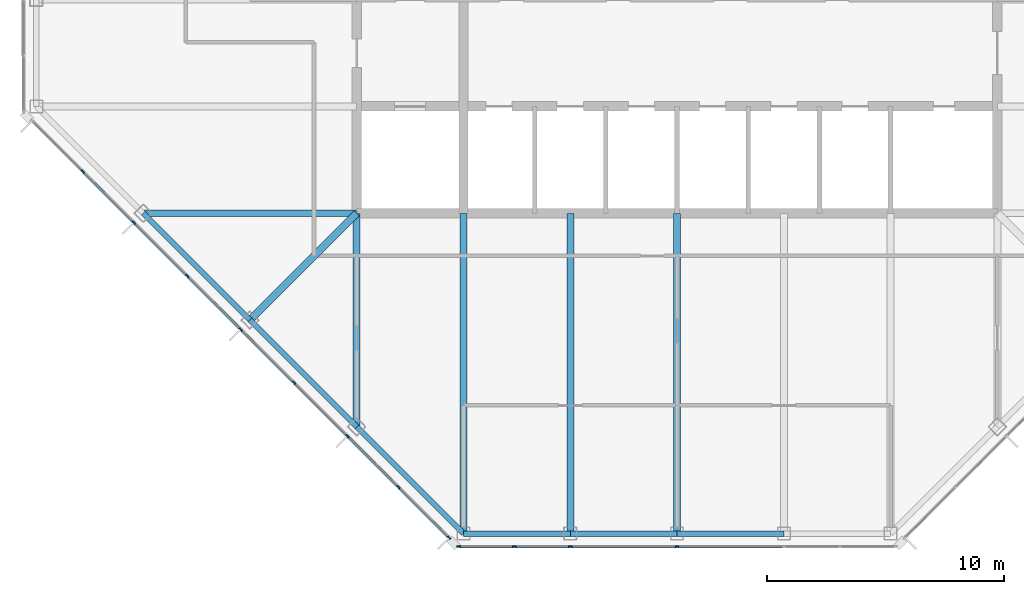
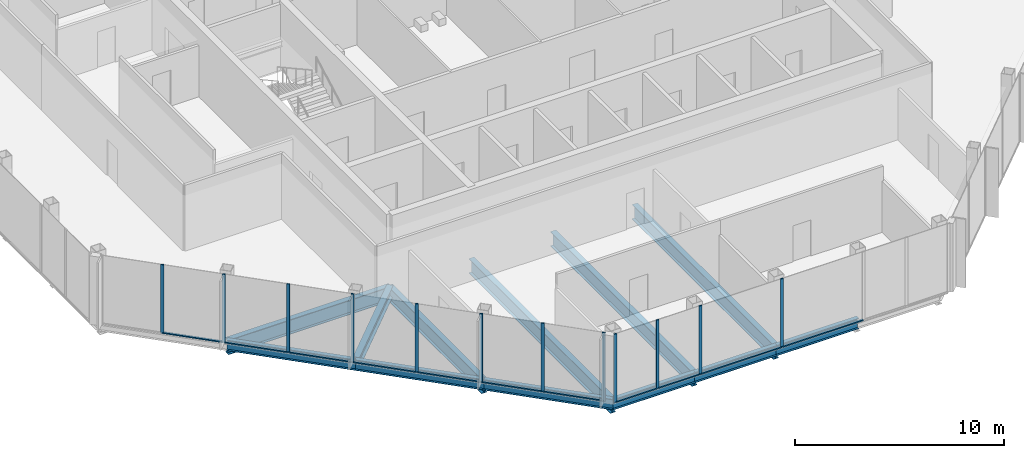
# One storey, part 2 of 13: 23 members, 12 beams, 2 elements without a shape of their own.
"""IFC4 building model written with IfcOpenShell, lengths in metres."""

import ifcopenshell
import ifcopenshell.guid

model = None  # the IFC model being written
_history = None  # IfcOwnerHistory: only IFC2X3 demands one
_inside = {}  # id of a spatial element -> (the spatial element, [elements in it])
_under = {}  # id of a project, library or spatial element -> (it, [spatial elements below it])
_declared = {}  # id of a project -> (the project, [libraries it declares])
_typed = {}  # id of a type object -> (the type object, [elements of that type])
_made_of = {}  # id of a material, layer set ... -> (it, [elements and type objects made of it])


def new_model(schema):
    """Start an empty IFC model of exactly this schema.

    Asked for "IFC4X3", IfcOpenShell would pick the latest addendum, in which some entities
    have other attributes; the version numbers below select the first issue.
    IFC2X3 requires an IfcOwnerHistory on every rooted entity: one is made here for all.
    """
    global model, _history
    if schema == "IFC4X3":
        model = ifcopenshell.file(schema_version=(4, 3, 0, 0))
    else:
        model = ifcopenshell.file(schema=schema)
    _inside.clear()
    _under.clear()
    _declared.clear()
    _typed.clear()
    _made_of.clear()
    _history = None
    if model.schema == "IFC2X3":
        org = make("IfcOrganization", Name="unknown")
        user = make(
            "IfcPersonAndOrganization",
            ThePerson=make("IfcPerson", FamilyName="unknown"),
            TheOrganization=org,
        )
        app = make(
            "IfcApplication",
            ApplicationDeveloper=org,
            Version="unknown",
            ApplicationFullName="unknown",
            ApplicationIdentifier="unknown",
        )
        _history = make(
            "IfcOwnerHistory",
            OwningUser=user,
            OwningApplication=app,
            ChangeAction="ADDED",
            CreationDate=0,
        )
    return model


def make(cls, **values):
    """One entity of the class cls with the attributes given. An attribute that is None is left unset."""
    return model.create_entity(
        cls, **{name: value for name, value in values.items() if value is not None}
    )


def rooted(cls, **values):
    """An entity with a GlobalId (a new one), such as an element, a storey or a relation."""
    return make(cls, GlobalId=ifcopenshell.guid.new(), OwnerHistory=_history, **values)


def si_unit(unit_type, name, prefix=None):
    """IfcSIUnit, for example si_unit("LENGTHUNIT", "METRE", prefix="MILLI")."""
    return make("IfcSIUnit", UnitType=unit_type, Prefix=prefix, Name=name)


def assignment(units):
    """IfcUnitAssignment: the units of a project."""
    return None if units is None else make("IfcUnitAssignment", Units=units)


def point(xyz):
    """IfcCartesianPoint."""
    return None if xyz is None else make("IfcCartesianPoint", Coordinates=xyz)


def direction(xyz):
    """IfcDirection."""
    return None if xyz is None else make("IfcDirection", DirectionRatios=xyz)


def frame(location, z_axis=None, x_axis=None):
    """IfcAxis2Placement3D, a coordinate frame: its origin and axes. An axis left out is left unset."""
    return make(
        "IfcAxis2Placement3D",
        Location=point(location),
        Axis=direction(z_axis),
        RefDirection=direction(x_axis),
    )


def frame_2d(location, x_axis=None):
    """IfcAxis2Placement2D, a coordinate frame in the plane: its origin and x axis."""
    return make(
        "IfcAxis2Placement2D", Location=point(location), RefDirection=direction(x_axis)
    )


def origin():
    """The frame at (0, 0, 0) with its axes left unset."""
    return frame((0.0, 0.0, 0.0))


def origin_2d():
    """The frame at (0, 0) in the plane with its x axis left unset."""
    return frame_2d((0.0, 0.0))


def place(relative_to, where):
    """IfcLocalPlacement: puts the frame where relative to a parent placement (None: the world)."""
    return make(
        "IfcLocalPlacement", PlacementRelTo=relative_to, RelativePlacement=where
    )


def context(
    kind, dimensions, precision=None, world=None, true_north=None, identifier=None
):
    """IfcGeometricRepresentationContext, for example the 3D "Model" context."""
    return make(
        "IfcGeometricRepresentationContext",
        ContextIdentifier=identifier,
        ContextType=kind,
        CoordinateSpaceDimension=dimensions,
        Precision=precision,
        WorldCoordinateSystem=world,
        TrueNorth=true_north,
    )


def subcontext(parent, identifier, kind, view, scale=None):
    """IfcGeometricRepresentationSubContext, for example "Body" below "Model"."""
    return make(
        "IfcGeometricRepresentationSubContext",
        ContextIdentifier=identifier,
        ContextType=kind,
        ParentContext=parent,
        TargetScale=scale,
        TargetView=view,
    )


def project(units=None, contexts=None):
    """IfcProject with its units and contexts."""
    return rooted(
        "IfcProject",
        Name="project",
        RepresentationContexts=contexts,
        UnitsInContext=assignment(units),
    )


def spatial(cls, under=None, at=None, **own):
    """A site, building, storey or space (cls), placed at a placement, below another one or the project."""
    s = rooted(cls, ObjectPlacement=at, **own)
    if under is not None:
        _under.setdefault(under.id(), (under, []))[1].append(s)
    return s


def profile(cls, at=None, kind="AREA", **sizes):
    """A parametric profile (cls). Its sizes go by their IFC names, for example OverallWidth=200.0."""
    return make(cls, ProfileType=kind, Position=at, **sizes)


def rectangle(**sizes):
    """IfcRectangleProfileDef."""
    return profile("IfcRectangleProfileDef", **sizes)


def i_section(**sizes):
    """IfcIShapeProfileDef."""
    return profile("IfcIShapeProfileDef", **sizes)


def extrude(swept, where, along, depth):
    """IfcExtrudedAreaSolid: the profile swept, set in the frame where, extruded along a direction by depth."""
    return make(
        "IfcExtrudedAreaSolid",
        SweptArea=swept,
        Position=where,
        ExtrudedDirection=direction(along),
        Depth=depth,
    )


def shape(context_of_items, identifier, shape_type, items):
    """IfcShapeRepresentation: the items that make up one representation, for example the "Body"."""
    return make(
        "IfcShapeRepresentation",
        ContextOfItems=context_of_items,
        RepresentationIdentifier=identifier,
        RepresentationType=shape_type,
        Items=items,
    )


def material(Name=None, Category=None):
    """IfcMaterial."""
    return make("IfcMaterial", Name=Name, Category=Category)


def material_profile(
    of_material, cross_section, Name=None, Category=None, Priority=None
):
    """IfcMaterialProfile: a cross section and its material."""
    return make(
        "IfcMaterialProfile",
        Name=Name,
        Material=of_material,
        Profile=cross_section,
        Priority=Priority,
        Category=Category,
    )


def profile_set(profiles, Name=None, composite=None):
    """IfcMaterialProfileSet."""
    return make(
        "IfcMaterialProfileSet",
        Name=Name,
        MaterialProfiles=profiles,
        CompositeProfile=composite,
    )


def made_of(thing, what):
    """Note that an element or type object is made of a material, layer set ...; save() writes the relation."""
    if what is not None:
        _made_of.setdefault(what.id(), (what, []))[1].append(thing)
    return thing


def type_object(cls, material=None, **own):
    """A type object (cls), such as IfcWallType, which elements share."""
    return made_of(rooted(cls, **own), material)


def element(
    cls,
    number,
    at=None,
    inside=None,
    cuts=None,
    type_object=None,
    material=None,
    context=None,
    identifier="Body",
    shape_type=None,
    held_by="IfcProductDefinitionShape",
    body=None,
    shapes=None,
    **own,
):
    """One element of the class cls, such as IfcWall. Its Tag is "e" and its number.

    at: its placement. inside: the storey or other place that contains it. cuts: it is an
    opening in that element (IfcRelVoidsElement). A single representation is given by context,
    identifier, shape_type and body (its items); several are given by shapes. held_by: the class
    of the entity that holds the representations. save() writes the other relations.
    """
    e = rooted(cls, Tag="e%d" % number, ObjectPlacement=at, **own)
    if body is not None:
        shapes = [shape(context, identifier, shape_type, body)]
    if shapes is not None:
        e.Representation = make(held_by, Representations=shapes)
    if inside is not None:
        _inside.setdefault(inside.id(), (inside, []))[1].append(e)
    if cuts is not None:
        rooted(
            "IfcRelVoidsElement", RelatingBuildingElement=cuts, RelatedOpeningElement=e
        )
    if type_object is not None:
        _typed.setdefault(type_object.id(), (type_object, []))[1].append(e)
    return made_of(e, material)


def aggregate(whole, parts):
    """IfcRelAggregates: a whole, such as a stair, and the parts it consists of."""
    return rooted("IfcRelAggregates", RelatingObject=whole, RelatedObjects=parts)


def save(model, path):
    """Write the relations noted so far, then the file.

    IfcRelAggregates (storeys below a building ...), IfcRelContainedInSpatialStructure (elements
    in a storey), IfcRelDefinesByType, IfcRelAssociatesMaterial and IfcRelDeclares: one each for
    every whole, place, type object, material and project.
    """
    for whole, parts in _under.values():
        aggregate(whole, parts)
    for where, things in _inside.values():
        rooted(
            "IfcRelContainedInSpatialStructure",
            RelatedElements=things,
            RelatingStructure=where,
        )
    for kind, things in _typed.values():
        rooted("IfcRelDefinesByType", RelatedObjects=things, RelatingType=kind)
    for what, things in _made_of.values():
        rooted("IfcRelAssociatesMaterial", RelatedObjects=things, RelatingMaterial=what)
    for by, libraries in _declared.values():
        rooted("IfcRelDeclares", RelatingContext=by, RelatedDefinitions=libraries)
    model.write(path)


model = new_model("IFC4")

# Units and contexts
model_context = context("Model", 3, precision=1e-05, world=origin(), true_north=direction((0.0, 1.0)))
body_context = subcontext(model_context, "Body", "Model", "MODEL_VIEW")
ifc_project = project(units=[si_unit("LENGTHUNIT", "METRE"), si_unit("AREAUNIT", "SQUARE_METRE"), si_unit("VOLUMEUNIT", "CUBIC_METRE"), si_unit("PLANEANGLEUNIT", "RADIAN"), si_unit("MASSUNIT", "GRAM", prefix="KILO")], contexts=[model_context])

# Site, building, storey
site_placement = place(None, origin())
site = spatial("IfcSite", under=ifc_project, at=site_placement, CompositionType="ELEMENT")
building_placement = place(site_placement, origin())
building = spatial("IfcBuilding", under=site, at=building_placement, Name="Corais Broadcast Tower", CompositionType="ELEMENT")
storey_placement = place(building_placement, frame((0.0, 0.0, 306.60009765625)))
storey = spatial("IfcBuildingStorey", under=building, at=storey_placement, Name="L72", CompositionType="ELEMENT", Elevation=306.60009765625)

# Beams
ifc_material_1 = material(Name="Steel ASTM A572 Grade 50", Category="steel")
ifc_material_profile_1 = material_profile(ifc_material_1, i_section(OverallWidth=0.323974609375, OverallDepth=0.611083984375, WebThickness=0.0126953125, FlangeThickness=0.01904296875, at=origin_2d()), Name="W610x155")
ifc_profile_set_1 = profile_set([ifc_material_profile_1], Name="Steel ASTM A572 Grade 50")
beam_type_1 = type_object("IfcBeamType", Name="Corner diagonal W610x155", PredefinedType="BEAM", material=ifc_profile_set_1)
beam_1_placement = place(storey_placement, frame((9.0, 9.0, -0.465576171875), z_axis=(0.707106781187, 0.707106781187, 0.0), x_axis=(-0.707106781187, 0.707106781187, 0.0)))
element("IfcBeam", 1, at=beam_1_placement, inside=storey, type_object=beam_type_1, Name="B6 C/5 to D/6", PredefinedType="BEAM", context=body_context, shape_type="SweptSolid", body=[
    extrude(i_section(OverallWidth=0.323974609375, OverallDepth=0.611083984375, WebThickness=0.0126953125, FlangeThickness=0.01904296875, at=origin_2d()), origin(), (0.0, 0.0, 1.0), 6.364013671875),
])
ifc_material_2 = material(Name="Steel ASTM A572 Grade 50", Category="steel")
ifc_material_profile_2 = material_profile(ifc_material_2, i_section(OverallWidth=0.2939453125, OverallDepth=0.85107421875, WebThickness=0.01611328125, FlangeThickness=0.02685546875, at=origin_2d()), Name="W840x226")
ifc_profile_set_2 = profile_set([ifc_material_profile_2], Name="Steel ASTM A572 Grade 50")
beam_type_2 = type_object("IfcBeamType", Name="Floor beam W840x226", PredefinedType="BEAM", material=ifc_profile_set_2)
beam_2_placement = place(storey_placement, frame((13.5, 4.5, -0.585693359375), z_axis=(0.0, 1.0, 0.0), x_axis=(-1.0, 0.0, 0.0)))
element("IfcBeam", 2, at=beam_2_placement, inside=storey, type_object=beam_type_2, Name="B1 B/6 to D/6", PredefinedType="BEAM", context=body_context, shape_type="SweptSolid", body=[
    extrude(i_section(OverallWidth=0.2939453125, OverallDepth=0.85107421875, WebThickness=0.01611328125, FlangeThickness=0.02685546875, at=origin_2d()), origin(), (0.0, 0.0, 1.0), 9.0),
])
for number, where, z_axis, x_axis, name in (
    (3, (18.0, 0.0, -0.585693359375), (0.0, 1.0, 0.0), (-1.0, 0.0, 0.0), "B1 A/7 to D/7"),
    (4, (22.5, 0.0, -0.585693359375), (0.0, 1.0, 0.0), (-1.0, 0.0, 0.0), "B1 A/8 to D/8"),
    (5, (27.0, 0.0, -0.585693359375), (0.0, 1.0, 0.0), (-1.0, 0.0, 0.0), "B1 A/9 to D/9"),
):
    element("IfcBeam", number, at=place(storey_placement, frame(where, z_axis=z_axis, x_axis=x_axis)), inside=storey, type_object=beam_type_2, Name=name, PredefinedType="BEAM", context=body_context, shape_type="SweptSolid", body=[
        extrude(i_section(OverallWidth=0.2939453125, OverallDepth=0.85107421875, WebThickness=0.01611328125, FlangeThickness=0.02685546875, at=origin_2d()), origin(), (0.0, 0.0, 1.0), 13.5),
    ])
beam_3_placement = place(storey_placement, frame((4.5, 13.5, -0.585693359375), z_axis=(1.0, 0.0, 0.0), x_axis=(0.0, 1.0, 0.0)))
element("IfcBeam", 6, at=beam_3_placement, inside=storey, type_object=beam_type_2, Name="B1 D/4 to D/6", PredefinedType="BEAM", context=body_context, shape_type="SweptSolid", body=[
    extrude(i_section(OverallWidth=0.2939453125, OverallDepth=0.85107421875, WebThickness=0.01611328125, FlangeThickness=0.02685546875, at=origin_2d()), origin(), (0.0, 0.0, 1.0), 9.0),
])

# Curtain wall, members
ifc_material_3 = material(Name="Aluminium and glass", Category="aluminium")
curtain_wall_type = type_object("IfcCurtainWallType", Name="Unitised fritted curtain wall CW3", PredefinedType="NOTDEFINED", material=ifc_material_3)
curtain_wall_1_placement = place(storey_placement, origin())
curtain_wall_1 = element("IfcCurtainWall", 7, at=curtain_wall_1_placement, inside=storey, type_object=curtain_wall_type, Name="CW3 curtain wall L72 1", PredefinedType="NOTDEFINED")
ifc_material_4 = material(Name="Aluminium 6063-T6", Category="aluminium")
ifc_material_profile_3 = material_profile(ifc_material_4, rectangle(XDim=0.06494140625, YDim=0.159912109375, at=origin_2d()), Name="Mullion CW3 65x160")
ifc_profile_set_3 = profile_set([ifc_material_profile_3], Name="Aluminium 6063-T6")
member_type_1 = type_object("IfcMemberType", Name="Mullion CW3 65x160", PredefinedType="MULLION", material=ifc_profile_set_3)
member_1_placement = place(storey_placement, frame((17.3955078125, -0.17333984375, 0.0), z_axis=(0.0, 0.0, 1.0), x_axis=(-0.707106781187, -0.707106781187, 0.0)))
member_1 = element("IfcMember", 8, at=member_1_placement, type_object=member_type_1, Name="CW3 mullion 1", PredefinedType="MULLION", context=body_context, shape_type="SweptSolid", body=[
    extrude(rectangle(XDim=0.06494140625, YDim=0.159912109375, at=origin_2d()), origin(), (0.0, 0.0, 1.0), 4.0),
])
member_2_placement = place(storey_placement, frame((15.264892578125, 1.957275390625, 0.0), z_axis=(0.0, 0.0, 1.0), x_axis=(-0.707106781187, -0.707106781187, 0.0)))
member_2 = element("IfcMember", 9, at=member_2_placement, type_object=member_type_1, Name="CW3 mullion 2", PredefinedType="MULLION", context=body_context, shape_type="SweptSolid", body=[
    extrude(rectangle(XDim=0.06494140625, YDim=0.159912109375, at=origin_2d()), origin(), (0.0, 0.0, 1.0), 4.0),
])
member_3_placement = place(storey_placement, frame((13.111083984375, 4.111083984375, 0.0), z_axis=(0.0, 0.0, 1.0), x_axis=(-0.707106781187, -0.707106781187, 0.0)))
member_3 = element("IfcMember", 10, at=member_3_placement, type_object=member_type_1, Name="CW3 mullion 3", PredefinedType="MULLION", context=body_context, shape_type="SweptSolid", body=[
    extrude(rectangle(XDim=0.06494140625, YDim=0.159912109375, at=origin_2d()), origin(), (0.0, 0.0, 1.0), 4.0),
])
member_4_placement = place(storey_placement, frame((10.861083984375, 6.361083984375, 0.0), z_axis=(0.0, 0.0, 1.0), x_axis=(-0.707106781187, -0.707106781187, 0.0)))
member_4 = element("IfcMember", 11, at=member_4_placement, type_object=member_type_1, Name="CW3 mullion 4", PredefinedType="MULLION", context=body_context, shape_type="SweptSolid", body=[
    extrude(rectangle(XDim=0.06494140625, YDim=0.159912109375, at=origin_2d()), origin(), (0.0, 0.0, 1.0), 4.0),
])
member_5_placement = place(storey_placement, frame((8.611083984375, 8.611083984375, 0.0), z_axis=(0.0, 0.0, 1.0), x_axis=(-0.707106781187, -0.707106781187, 0.0)))
member_5 = element("IfcMember", 12, at=member_5_placement, type_object=member_type_1, Name="CW3 mullion 5", PredefinedType="MULLION", context=body_context, shape_type="SweptSolid", body=[
    extrude(rectangle(XDim=0.06494140625, YDim=0.159912109375, at=origin_2d()), origin(), (0.0, 0.0, 1.0), 4.0),
])
member_6_placement = place(storey_placement, frame((6.361083984375, 10.861083984375, 0.0), z_axis=(0.0, 0.0, 1.0), x_axis=(-0.707106781187, -0.707106781187, 0.0)))
member_6 = element("IfcMember", 13, at=member_6_placement, type_object=member_type_1, Name="CW3 mullion 6", PredefinedType="MULLION", context=body_context, shape_type="SweptSolid", body=[
    extrude(rectangle(XDim=0.06494140625, YDim=0.159912109375, at=origin_2d()), origin(), (0.0, 0.0, 1.0), 4.0),
])
member_7_placement = place(storey_placement, frame((4.111083984375, 13.111083984375, 0.0), z_axis=(0.0, 0.0, 1.0), x_axis=(-0.707106781187, -0.707106781187, 0.0)))
member_7 = element("IfcMember", 14, at=member_7_placement, type_object=member_type_1, Name="CW3 mullion 7", PredefinedType="MULLION", context=body_context, shape_type="SweptSolid", body=[
    extrude(rectangle(XDim=0.06494140625, YDim=0.159912109375, at=origin_2d()), origin(), (0.0, 0.0, 1.0), 4.0),
])
member_8_placement = place(storey_placement, frame((1.957275390625, 15.264892578125, 0.0), z_axis=(0.0, 0.0, 1.0), x_axis=(-0.707106781187, -0.707106781187, 0.0)))
member_8 = element("IfcMember", 15, at=member_8_placement, type_object=member_type_1, Name="CW3 mullion 8", PredefinedType="MULLION", context=body_context, shape_type="SweptSolid", body=[
    extrude(rectangle(XDim=0.06494140625, YDim=0.159912109375, at=origin_2d()), origin(), (0.0, 0.0, 1.0), 4.0),
])

curtain_wall_2_placement = place(storey_placement, origin())
curtain_wall_2 = element("IfcCurtainWall", 16, at=curtain_wall_2_placement, inside=storey, type_object=curtain_wall_type, Name="CW3 curtain wall L72 8", PredefinedType="NOTDEFINED")
member_9_placement = place(storey_placement, frame((27.0, -0.550048828125, 0.0), z_axis=(0.0, 0.0, 1.0), x_axis=(0.0, -1.0, 0.0)))
member_9 = element("IfcMember", 17, at=member_9_placement, type_object=member_type_1, Name="CW3 mullion 4", PredefinedType="MULLION", context=body_context, shape_type="SweptSolid", body=[
    extrude(rectangle(XDim=0.06494140625, YDim=0.159912109375, at=origin_2d()), origin(), (0.0, 0.0, 1.0), 4.0),
])
member_10_placement = place(storey_placement, frame((22.5, -0.550048828125, 0.0), z_axis=(0.0, 0.0, 1.0), x_axis=(0.0, -1.0, 0.0)))
member_10 = element("IfcMember", 18, at=member_10_placement, type_object=member_type_1, Name="CW3 mullion 5", PredefinedType="MULLION", context=body_context, shape_type="SweptSolid", body=[
    extrude(rectangle(XDim=0.06494140625, YDim=0.159912109375, at=origin_2d()), origin(), (0.0, 0.0, 1.0), 4.0),
])
member_11_placement = place(storey_placement, frame((20.135986328125, -0.550048828125, 0.0), z_axis=(0.0, 0.0, 1.0), x_axis=(0.0, -1.0, 0.0)))
member_11 = element("IfcMember", 19, at=member_11_placement, type_object=member_type_1, Name="CW3 mullion 6", PredefinedType="MULLION", context=body_context, shape_type="SweptSolid", body=[
    extrude(rectangle(XDim=0.06494140625, YDim=0.159912109375, at=origin_2d()), origin(), (0.0, 0.0, 1.0), 4.0),
])
member_12_placement = place(storey_placement, frame((17.8046875, -0.550048828125, 0.0), z_axis=(0.0, 0.0, 1.0), x_axis=(0.0, -1.0, 0.0)))
member_12 = element("IfcMember", 20, at=member_12_placement, type_object=member_type_1, Name="CW3 mullion 7", PredefinedType="MULLION", context=body_context, shape_type="SweptSolid", body=[
    extrude(rectangle(XDim=0.06494140625, YDim=0.159912109375, at=origin_2d()), origin(), (0.0, 0.0, 1.0), 4.0),
])

# Beams
ifc_material_5 = material(Name="Steel ASTM A572 Grade 50", Category="steel")
ifc_material_profile_4 = material_profile(ifc_material_5, i_section(OverallWidth=0.22998046875, OverallDepth=0.616943359375, WebThickness=0.01318359375, FlangeThickness=0.022216796875, at=origin_2d()), Name="W610x140")
ifc_profile_set_4 = profile_set([ifc_material_profile_4], Name="Steel ASTM A572 Grade 50")
beam_type_3 = type_object("IfcBeamType", Name="Spandrel W610x140", PredefinedType="BEAM", material=ifc_profile_set_4)
beam_4_placement = place(storey_placement, frame((13.5, 4.5, -0.468505859375), z_axis=(0.707106781187, -0.707106781187, 0.0), x_axis=(0.707106781187, 0.707106781187, 0.0)))
element("IfcBeam", 21, at=beam_4_placement, inside=storey, type_object=beam_type_3, Name="SB3 B/6 to A/7", PredefinedType="BEAM", context=body_context, shape_type="SweptSolid", body=[
    extrude(i_section(OverallWidth=0.22998046875, OverallDepth=0.616943359375, WebThickness=0.01318359375, FlangeThickness=0.022216796875, at=origin_2d()), origin(), (0.0, 0.0, 1.0), 6.364013671875),
])
for number, where, z_axis, x_axis, name in (
    (22, (18.0, 0.0, -0.468505859375), (1.0, 0.0, 0.0), (0.0, 1.0, 0.0), "SB3 A/7 to A/8"),
    (23, (22.5, 0.0, -0.468505859375), (1.0, 0.0, 0.0), (0.0, 1.0, 0.0), "SB3 A/8 to A/9"),
    (24, (27.0, 0.0, -0.468505859375), (1.0, 0.0, 0.0), (0.0, 1.0, 0.0), "SB3 A/9 to A/10"),
):
    element("IfcBeam", number, at=place(storey_placement, frame(where, z_axis=z_axis, x_axis=x_axis)), inside=storey, type_object=beam_type_3, Name=name, PredefinedType="BEAM", context=body_context, shape_type="SweptSolid", body=[
        extrude(i_section(OverallWidth=0.22998046875, OverallDepth=0.616943359375, WebThickness=0.01318359375, FlangeThickness=0.022216796875, at=origin_2d()), origin(), (0.0, 0.0, 1.0), 4.5),
    ])
for number, where, z_axis, x_axis, name in (
    (25, (4.5, 13.5, -0.468505859375), (0.707106781187, -0.707106781187, 0.0), (0.707106781187, 0.707106781187, 0.0), "SB3 D/4 to C/5"),
    (26, (9.0, 9.0, -0.468505859375), (0.707106781187, -0.707106781187, 0.0), (0.707106781187, 0.707106781187, 0.0), "SB3 C/5 to B/6"),
):
    element("IfcBeam", number, at=place(storey_placement, frame(where, z_axis=z_axis, x_axis=x_axis)), inside=storey, type_object=beam_type_3, Name=name, PredefinedType="BEAM", context=body_context, shape_type="SweptSolid", body=[
        extrude(i_section(OverallWidth=0.22998046875, OverallDepth=0.616943359375, WebThickness=0.01318359375, FlangeThickness=0.022216796875, at=origin_2d()), origin(), (0.0, 0.0, 1.0), 6.364013671875),
    ])

# Member
ifc_material_6 = material(Name="Aluminium 6063-T6", Category="aluminium")
ifc_material_profile_5 = material_profile(ifc_material_6, rectangle(XDim=0.1201171875, YDim=0.06494140625, at=origin_2d()), Name="Transom CW3 65x120")
ifc_profile_set_5 = profile_set([ifc_material_profile_5], Name="Aluminium 6063-T6")
member_type_2 = type_object("IfcMemberType", Name="Transom CW3 65x120", PredefinedType="USERDEFINED", material=ifc_profile_set_5)
member_13_placement = place(storey_placement, frame((17.37255859375, -0.150390625, 0.032470703125), z_axis=(-0.707106781187, 0.707106781187, 0.0), x_axis=(-0.707106781187, -0.707106781187, 0.0)))
member_13 = element("IfcMember", 27, at=member_13_placement, type_object=member_type_2, Name="CW3 transom 1.1", ObjectType="TRANSOM", PredefinedType="USERDEFINED", context=body_context, shape_type="SweptSolid", body=[
    extrude(rectangle(XDim=0.1201171875, YDim=0.06494140625, at=origin_2d()), origin(), (0.0, 0.0, 1.0), 2.9482421875),
])

member_14_placement = place(storey_placement, frame((15.241943359375, 1.980224609375, 0.032470703125), z_axis=(-0.707106781187, 0.707106781187, 0.0), x_axis=(-0.707106781187, -0.707106781187, 0.0)))
member_14 = element("IfcMember", 28, at=member_14_placement, type_object=member_type_2, Name="CW3 transom 2.1", ObjectType="TRANSOM", PredefinedType="USERDEFINED", context=body_context, shape_type="SweptSolid", body=[
    extrude(rectangle(XDim=0.1201171875, YDim=0.06494140625, at=origin_2d()), origin(), (0.0, 0.0, 1.0), 2.98095703125),
])

member_15_placement = place(storey_placement, frame((13.088134765625, 4.134033203125, 0.032470703125), z_axis=(-0.707106781187, 0.707106781187, 0.0), x_axis=(-0.707106781187, -0.707106781187, 0.0)))
member_15 = element("IfcMember", 29, at=member_15_placement, type_object=member_type_2, Name="CW3 transom 3.1", ObjectType="TRANSOM", PredefinedType="USERDEFINED", context=body_context, shape_type="SweptSolid", body=[
    extrude(rectangle(XDim=0.1201171875, YDim=0.06494140625, at=origin_2d()), origin(), (0.0, 0.0, 1.0), 3.1171875),
])

member_16_placement = place(storey_placement, frame((10.838134765625, 6.384033203125, 0.032470703125), z_axis=(-0.707106781187, 0.707106781187, 0.0), x_axis=(-0.707106781187, -0.707106781187, 0.0)))
member_16 = element("IfcMember", 30, at=member_16_placement, type_object=member_type_2, Name="CW3 transom 4.1", ObjectType="TRANSOM", PredefinedType="USERDEFINED", context=body_context, shape_type="SweptSolid", body=[
    extrude(rectangle(XDim=0.1201171875, YDim=0.06494140625, at=origin_2d()), origin(), (0.0, 0.0, 1.0), 3.1171875),
])

member_17_placement = place(storey_placement, frame((8.588134765625, 8.634033203125, 0.032470703125), z_axis=(-0.707106781187, 0.707106781187, 0.0), x_axis=(-0.707106781187, -0.707106781187, 0.0)))
member_17 = element("IfcMember", 31, at=member_17_placement, type_object=member_type_2, Name="CW3 transom 5.1", ObjectType="TRANSOM", PredefinedType="USERDEFINED", context=body_context, shape_type="SweptSolid", body=[
    extrude(rectangle(XDim=0.1201171875, YDim=0.06494140625, at=origin_2d()), origin(), (0.0, 0.0, 1.0), 3.1171875),
])

member_18_placement = place(storey_placement, frame((6.338134765625, 10.884033203125, 0.032470703125), z_axis=(-0.707106781187, 0.707106781187, 0.0), x_axis=(-0.707106781187, -0.707106781187, 0.0)))
member_18 = element("IfcMember", 32, at=member_18_placement, type_object=member_type_2, Name="CW3 transom 6.1", ObjectType="TRANSOM", PredefinedType="USERDEFINED", context=body_context, shape_type="SweptSolid", body=[
    extrude(rectangle(XDim=0.1201171875, YDim=0.06494140625, at=origin_2d()), origin(), (0.0, 0.0, 1.0), 3.1171875),
])

member_19_placement = place(storey_placement, frame((4.088134765625, 13.134033203125, 0.032470703125), z_axis=(-0.707065828661, 0.70714773134, 0.0), x_axis=(-0.70714773134, -0.707065828661, 0.0)))
member_19 = element("IfcMember", 33, at=member_19_placement, type_object=member_type_2, Name="CW3 transom 7.1", ObjectType="TRANSOM", PredefinedType="USERDEFINED", context=body_context, shape_type="SweptSolid", body=[
    extrude(rectangle(XDim=0.1201171875, YDim=0.06494140625, at=origin_2d()), origin(), (0.0, 0.0, 1.0), 2.98095703125),
])

aggregate(curtain_wall_1, [member_1, member_2, member_3, member_4, member_5, member_6, member_7, member_8, member_13, member_14, member_15, member_16, member_17, member_18, member_19])

member_20_placement = place(storey_placement, frame((31.467529296875, -0.550048828125, 0.032470703125), z_axis=(-1.0, 0.0, 0.0), x_axis=(0.0, -1.0, 0.0)))
member_20 = element("IfcMember", 34, at=member_20_placement, type_object=member_type_2, Name="CW3 transom 3.1", ObjectType="TRANSOM", PredefinedType="USERDEFINED", context=body_context, shape_type="SweptSolid", body=[
    extrude(rectangle(XDim=0.1201171875, YDim=0.06494140625, at=origin_2d()), origin(), (0.0, 0.0, 1.0), 4.43505859375),
])

member_21_placement = place(storey_placement, frame((26.967529296875, -0.550048828125, 0.032470703125), z_axis=(-1.0, 0.0, 0.0), x_axis=(0.0, -1.0, 0.0)))
member_21 = element("IfcMember", 35, at=member_21_placement, type_object=member_type_2, Name="CW3 transom 4.1", ObjectType="TRANSOM", PredefinedType="USERDEFINED", context=body_context, shape_type="SweptSolid", body=[
    extrude(rectangle(XDim=0.1201171875, YDim=0.06494140625, at=origin_2d()), origin(), (0.0, 0.0, 1.0), 4.43505859375),
])

member_22_placement = place(storey_placement, frame((22.467529296875, -0.550048828125, 0.032470703125), z_axis=(-1.0, 0.0, 0.0), x_axis=(0.0, -1.0, 0.0)))
member_22 = element("IfcMember", 36, at=member_22_placement, type_object=member_type_2, Name="CW3 transom 5.1", ObjectType="TRANSOM", PredefinedType="USERDEFINED", context=body_context, shape_type="SweptSolid", body=[
    extrude(rectangle(XDim=0.1201171875, YDim=0.06494140625, at=origin_2d()), origin(), (0.0, 0.0, 1.0), 2.298828125),
])

member_23_placement = place(storey_placement, frame((20.103515625, -0.550048828125, 0.032470703125), z_axis=(-1.0, 0.0, 0.0), x_axis=(0.0, -1.0, 0.0)))
member_23 = element("IfcMember", 37, at=member_23_placement, type_object=member_type_2, Name="CW3 transom 6.1", ObjectType="TRANSOM", PredefinedType="USERDEFINED", context=body_context, shape_type="SweptSolid", body=[
    extrude(rectangle(XDim=0.1201171875, YDim=0.06494140625, at=origin_2d()), origin(), (0.0, 0.0, 1.0), 2.266357421875),
])

aggregate(curtain_wall_2, [member_9, member_10, member_11, member_12, member_20, member_21, member_22, member_23])

save(model, "model.ifc")
